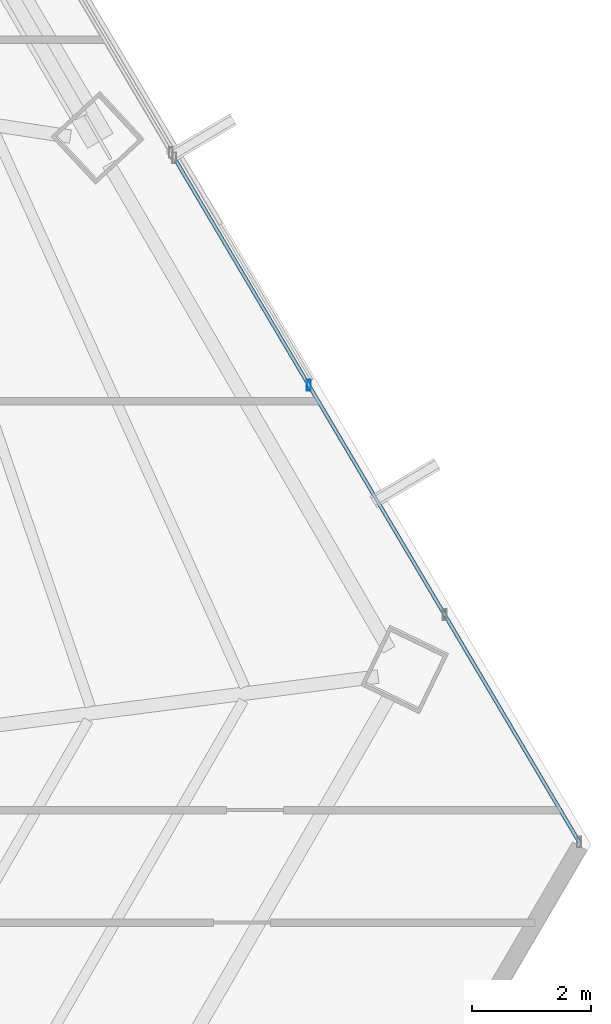
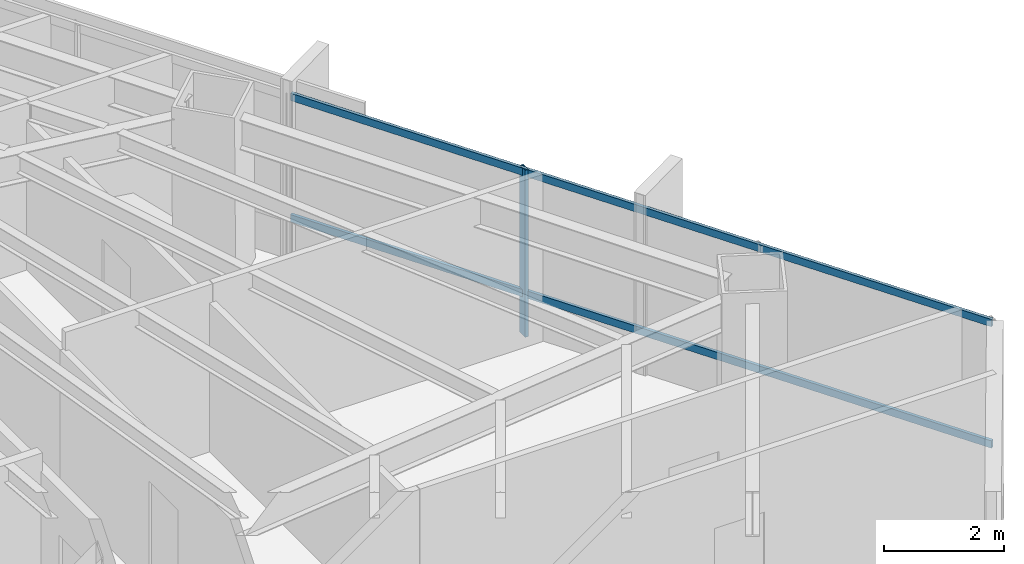
# One storey, part 23 of 35: 3 members, 1 element without a shape of its own.
"""IFC4 building model written with IfcOpenShell, lengths in metres."""

from ifc_helpers import new_model, si_unit, direction, frame, origin, origin_2d, place, context, subcontext, project, spatial, hollow_rectangle, extrude, source, transform, mapped, material, material_profile, profile_set, type_object, type_shapes, element, aggregate, save


model = new_model("IFC4")

# Units and contexts
model_context = context("Model", 3, precision=1e-05, world=origin(), true_north=direction((0.0, 1.0)))
body_context = subcontext(model_context, "Body", "Model", "MODEL_VIEW")
ifc_project = project(units=[si_unit("LENGTHUNIT", "METRE"), si_unit("AREAUNIT", "SQUARE_METRE"), si_unit("VOLUMEUNIT", "CUBIC_METRE"), si_unit("PLANEANGLEUNIT", "RADIAN"), si_unit("MASSUNIT", "GRAM", prefix="KILO")], contexts=[model_context])

# Site, building, storey
site_placement = place(None, origin())
site = spatial("IfcSite", under=ifc_project, at=site_placement, CompositionType="ELEMENT")
building_placement = place(site_placement, origin())
building = spatial("IfcBuilding", under=site, at=building_placement, Name="Caelisora Broadcast Tower", CompositionType="ELEMENT")
storey_placement = place(building_placement, frame((0.0, 0.0, 94.449951171875)))
storey = spatial("IfcBuildingStorey", under=building, at=storey_placement, Name="L24", CompositionType="ELEMENT", Elevation=94.449951171875)

# Curtain wall, members
ifc_material_1 = material(Name="Unitised Aluminium and Low-E Glass Curtain Wall", Category="glass")
curtain_wall_type = type_object("IfcCurtainWallType", Name="CW-Z2", PredefinedType="NOTDEFINED", material=ifc_material_1)
curtain_wall_placement = place(storey_placement, origin())
curtain_wall = element("IfcCurtainWall", 1, at=curtain_wall_placement, inside=storey, type_object=curtain_wall_type, Name="L24 curtain wall CW-Z2", PredefinedType="NOTDEFINED")
ifc_material_2 = material(Name="Aluminium 6063-T6 Anodised Terracotta Bronze", Category="aluminium")
ifc_material_profile_1 = material_profile(ifc_material_2, hollow_rectangle(XDim=0.06494140625, YDim=0.179931640625, WallThickness=0.00341796875, at=origin_2d()), Name="Aluminium 6063-T6 Anodised Terracotta Bronze")
ifc_profile_set_1 = profile_set([ifc_material_profile_1], Name="Aluminium 6063-T6 Anodised Terracotta Bronze")
member_type_1 = type_object("IfcMemberType", Name="CWM-02", PredefinedType="MULLION", material=ifc_profile_set_1)
shared_shape_1 = source(origin(), body_context, "Body", "SweptSolid", [
    extrude(hollow_rectangle(XDim=0.06494140625, YDim=0.179931640625, WallThickness=0.00341796875, at=origin_2d()), origin(), (0.0, 0.0, 1.0), 3.400146484375),
])
type_shapes(member_type_1, [shared_shape_1])
member_1_placement = place(storey_placement, frame((59.623046875, 24.271728515625, 0.0), z_axis=(0.0, 0.0, 1.0), x_axis=(1.0, 0.0, 0.0)))
member_1 = element("IfcMember", 2, at=member_1_placement, type_object=member_type_1, Name="L24-CW-B03 mullion #1", PredefinedType="MULLION", context=body_context, shape_type="MappedRepresentation", body=[
    mapped(shared_shape_1, transform((0.0, 0.0, 0.0), scale=1.0)),
])
ifc_material_profile_2 = material_profile(ifc_material_2, hollow_rectangle(XDim=0.06005859375, YDim=0.14990234375, WallThickness=0.00341796875, at=origin_2d()), Name="Aluminium 6063-T6 Anodised Terracotta Bronze")
ifc_profile_set_2 = profile_set([ifc_material_profile_2], Name="Aluminium 6063-T6 Anodised Terracotta Bronze")
member_type_2 = type_object("IfcMemberType", Name="CWT-02", PredefinedType="USERDEFINED", material=ifc_profile_set_2)
shared_shape_2 = source(origin(), body_context, "Body", "SweptSolid", [
    extrude(hollow_rectangle(XDim=0.06005859375, YDim=0.14990234375, WallThickness=0.00341796875, at=origin_2d()), origin(), (0.0, 0.0, 1.0), 13.411865234375),
])
type_shapes(member_type_2, [shared_shape_2])
member_2_placement = place(storey_placement, frame((57.3544921875, 28.104736328125, 0.85009765625), z_axis=(0.509333274698, -0.860569355302, 0.0), x_axis=(0.860569355302, 0.509333274698, 0.0)))
member_2 = element("IfcMember", 3, at=member_2_placement, type_object=member_type_2, Name="L24-CW-B03 transom #1", ObjectType="TRANSOM", PredefinedType="USERDEFINED", context=body_context, shape_type="MappedRepresentation", body=[
    mapped(shared_shape_2, transform((0.0, 0.0, 0.0), scale=1.0)),
])
member_3_placement = place(storey_placement, frame((57.3544921875, 28.104736328125, 3.320068359375), z_axis=(0.509333274698, -0.860569355302, 0.0), x_axis=(0.860569355302, 0.509333274698, 0.0)))
member_3 = element("IfcMember", 4, at=member_3_placement, type_object=member_type_2, Name="L24-CW-B03 transom #2", ObjectType="TRANSOM", PredefinedType="USERDEFINED", context=body_context, shape_type="MappedRepresentation", body=[
    mapped(shared_shape_2, transform((0.0, 0.0, 0.0), scale=1.0)),
])
aggregate(curtain_wall, [member_1, member_2, member_3])

save(model, "model.ifc")
